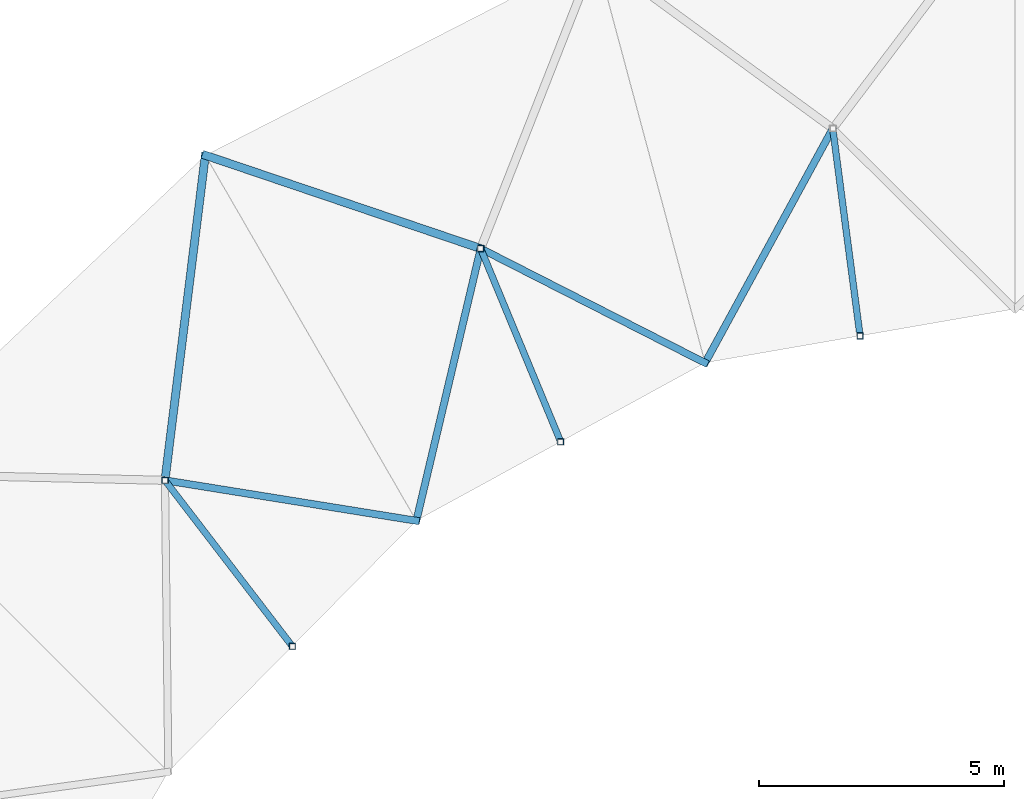
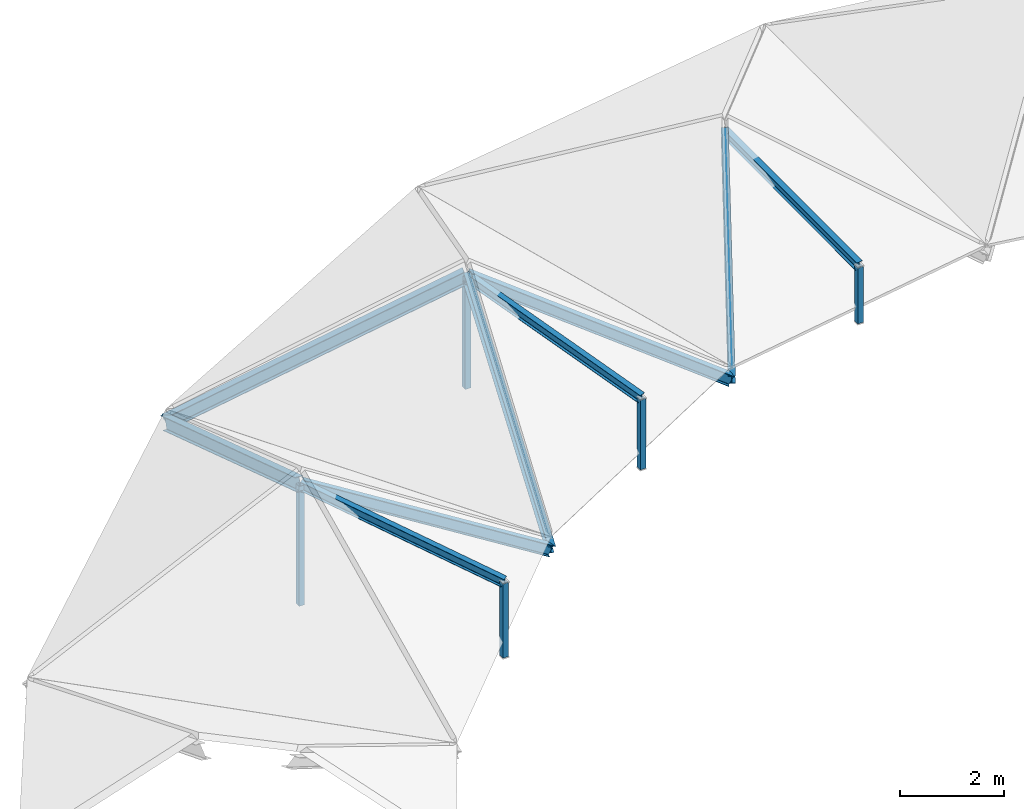
# One storey, part 30 of 66: 14 members.
"""IFC4 building model written with IfcOpenShell, lengths in metres."""

from ifc_helpers import new_model, si_unit, direction, frame, origin, origin_2d, place, context, subcontext, project, spatial, hollow_rectangle, i_section, extrude, material, material_profile, profile_set, type_object, element, save


model = new_model("IFC4")

# Units and contexts
model_context = context("Model", 3, precision=1e-05, world=origin(), true_north=direction((0.0, 1.0)))
body_context = subcontext(model_context, "Body", "Model", "MODEL_VIEW")
ifc_project = project(units=[si_unit("LENGTHUNIT", "METRE"), si_unit("AREAUNIT", "SQUARE_METRE"), si_unit("VOLUMEUNIT", "CUBIC_METRE"), si_unit("PLANEANGLEUNIT", "RADIAN"), si_unit("MASSUNIT", "GRAM", prefix="KILO")], contexts=[model_context])

# Site, building, storey
site_placement = place(None, origin())
site = spatial("IfcSite", under=ifc_project, at=site_placement, CompositionType="ELEMENT")
building_placement = place(site_placement, origin())
building = spatial("IfcBuilding", under=site, at=building_placement, Name="Karori Crest Natural Sciences Institute", CompositionType="ELEMENT")
storey_placement = place(building_placement, frame((0.0, 0.0, 30.10009765625)))
storey = spatial("IfcBuildingStorey", under=building, at=storey_placement, Name="L07", CompositionType="ELEMENT", Elevation=30.10009765625)

# Members
ifc_material_1 = material(Name="Structural steel AS/NZS 3679.1 Grade 350", Category="steel")
ifc_material_profile_1 = material_profile(ifc_material_1, i_section(OverallWidth=0.166015625, OverallDepth=0.306884765625, WebThickness=0.006591796875, FlangeThickness=0.01171875, FilletRadius=0.010986328125, at=origin_2d()), Name="310UB46.2")
ifc_profile_set_1 = profile_set([ifc_material_profile_1], Name="Structural steel AS/NZS 3679.1 Grade 350")
member_type_1 = type_object("IfcMemberType", Name="MT-06", PredefinedType="RAFTER", material=ifc_profile_set_1)
member_1_placement = place(storey_placement, frame((49.89990234375, 85.23388671875, -0.260009765625), z_axis=(0.864632187552, -0.292913292968, 0.408182536437), x_axis=(0.320860101112, 0.947126599518, 0.0)))
element("IfcMember", 1, at=member_1_placement, inside=storey, type_object=member_type_1, Name="Member M-0081", PredefinedType="RAFTER", context=body_context, shape_type="SweptSolid", body=[
    extrude(i_section(OverallWidth=0.166015625, OverallDepth=0.306884765625, WebThickness=0.006591796875, FlangeThickness=0.01171875, FilletRadius=0.010986328125, at=origin_2d()), origin(), (0.0, 0.0, 1.0), 6.489501953125),
])
member_2_placement = place(storey_placement, frame((49.89990234375, 85.23388671875, -0.260009765625), z_axis=(-0.113312878689, -0.91313285936, 0.391597462555), x_axis=(0.992388330701, -0.123147883001, 0.0)))
element("IfcMember", 2, at=member_2_placement, inside=storey, type_object=member_type_1, Name="Member M-0087", PredefinedType="RAFTER", context=body_context, shape_type="SweptSolid", body=[
    extrude(i_section(OverallWidth=0.166015625, OverallDepth=0.306884765625, WebThickness=0.006591796875, FlangeThickness=0.01171875, FilletRadius=0.010986328125, at=origin_2d()), origin(), (0.0, 0.0, 1.0), 7.25439453125),
])
ifc_material_profile_2 = material_profile(ifc_material_1, i_section(OverallWidth=0.14599609375, OverallDepth=0.256103515625, WebThickness=0.00634765625, FlangeThickness=0.010986328125, FilletRadius=0.009033203125, at=origin_2d()), Name="250UB37.3")
ifc_profile_set_2 = profile_set([ifc_material_profile_2], Name="Structural steel AS/NZS 3679.1 Grade 350")
member_type_2 = type_object("IfcMemberType", Name="MT-07", PredefinedType="RAFTER", material=ifc_profile_set_2)
member_3_placement = place(storey_placement, frame((60.084716796875, 81.002685546875, -0.260009765625), z_axis=(0.44756004659, 0.821611873422, 0.353049478329), x_axis=(-0.878161380656, 0.478364494422, 0.0)))
element("IfcMember", 3, at=member_3_placement, inside=storey, type_object=member_type_2, Name="Member M-0076", PredefinedType="RAFTER", context=body_context, shape_type="SweptSolid", body=[
    extrude(i_section(OverallWidth=0.14599609375, OverallDepth=0.256103515625, WebThickness=0.00634765625, FlangeThickness=0.010986328125, FilletRadius=0.009033203125, at=origin_2d()), origin(), (0.0, 0.0, 1.0), 5.812255859375),
])
member_4_placement = place(storey_placement, frame((60.084716796875, 81.002685546875, -0.260009765625), z_axis=(-0.791802854468, 0.403424695521, 0.458581241111), x_axis=(-0.453973516922, -0.891015177162, 0.0)))
element("IfcMember", 4, at=member_4_placement, inside=storey, type_object=member_type_2, Name="Member M-0082", PredefinedType="RAFTER", context=body_context, shape_type="SweptSolid", body=[
    extrude(i_section(OverallWidth=0.14599609375, OverallDepth=0.256103515625, WebThickness=0.00634765625, FlangeThickness=0.010986328125, FilletRadius=0.009033203125, at=origin_2d()), origin(), (0.0, 0.0, 1.0), 5.7763671875),
])
member_5_placement = place(storey_placement, frame((54.199951171875, 77.785888671875, -0.260009765625), z_axis=(0.208584471817, 0.882541486808, 0.42144162369), x_axis=(-0.973188622273, 0.230008490014, 0.0)))
element("IfcMember", 5, at=member_5_placement, inside=storey, type_object=member_type_2, Name="Member M-0083", PredefinedType="RAFTER", context=body_context, shape_type="SweptSolid", body=[
    extrude(i_section(OverallWidth=0.14599609375, OverallDepth=0.256103515625, WebThickness=0.00634765625, FlangeThickness=0.010986328125, FilletRadius=0.009033203125, at=origin_2d()), origin(), (0.0, 0.0, 1.0), 6.285400390625),
])
member_6_placement = place(storey_placement, frame((54.199951171875, 77.785888671875, -0.260009765625), z_axis=(-0.865980961861, 0.139266909691, 0.480293349486), x_axis=(-0.158779674608, -0.987314040684, 0.0)))
element("IfcMember", 6, at=member_6_placement, inside=storey, type_object=member_type_2, Name="Member M-0089", PredefinedType="RAFTER", context=body_context, shape_type="SweptSolid", body=[
    extrude(i_section(OverallWidth=0.14599609375, OverallDepth=0.256103515625, WebThickness=0.00634765625, FlangeThickness=0.010986328125, FilletRadius=0.009033203125, at=origin_2d()), origin(), (0.0, 0.0, 1.0), 5.914794921875),
])
ifc_material_profile_3 = material_profile(ifc_material_1, i_section(OverallWidth=0.133056640625, OverallDepth=0.202880859375, WebThickness=0.005859375, FlangeThickness=0.0078125, FilletRadius=0.009033203125, at=origin_2d()), Name="200UB25.4")
ifc_profile_set_3 = profile_set([ifc_material_profile_3], Name="Structural steel AS/NZS 3679.1 Grade 350")
member_type_3 = type_object("IfcMemberType", Name="MT-09", PredefinedType="PURLIN", material=ifc_profile_set_3)
member_7_placement = place(storey_placement, frame((63.242431640625, 81.551513671875, 0.990966796875), z_axis=(-0.128271950014, 0.974394031873, 0.184668831942), x_axis=(-0.991446106692, -0.130516732738, 0.0)))
element("IfcMember", 7, at=member_7_placement, inside=storey, type_object=member_type_3, Name="Member M-0077", PredefinedType="PURLIN", context=body_context, shape_type="SweptSolid", body=[
    extrude(i_section(OverallWidth=0.133056640625, OverallDepth=0.202880859375, WebThickness=0.005859375, FlangeThickness=0.0078125, FilletRadius=0.009033203125, at=origin_2d()), origin(), (0.0, 0.0, 1.0), 4.337646484375),
])
member_8_placement = place(storey_placement, frame((57.142333984375, 79.394287109375, 1.31689453125), z_axis=(-0.371105586259, 0.895996172271, 0.243867798453), x_axis=(-0.923889805527, -0.38265863017, 0.0)))
element("IfcMember", 8, at=member_8_placement, inside=storey, type_object=member_type_3, Name="Member M-0084", PredefinedType="PURLIN", context=body_context, shape_type="SweptSolid", body=[
    extrude(i_section(OverallWidth=0.133056640625, OverallDepth=0.202880859375, WebThickness=0.005859375, FlangeThickness=0.0078125, FilletRadius=0.009033203125, at=origin_2d()), origin(), (0.0, 0.0, 1.0), 4.39599609375),
])
member_9_placement = place(storey_placement, frame((51.67333984375, 75.227294921875, 1.421875), z_axis=(-0.587459714158, 0.765559860779, 0.262315046854), x_axis=(-0.793340841881, -0.608777716908, 0.0)))
element("IfcMember", 9, at=member_9_placement, inside=storey, type_object=member_type_3, Name="Member M-0091", PredefinedType="PURLIN", context=body_context, shape_type="SweptSolid", body=[
    extrude(i_section(OverallWidth=0.133056640625, OverallDepth=0.202880859375, WebThickness=0.005859375, FlangeThickness=0.0078125, FilletRadius=0.009033203125, at=origin_2d()), origin(), (0.0, 0.0, 1.0), 4.418212890625),
])
ifc_material_2 = material(Name="Hollow structural steel AS/NZS 1163 Grade C350", Category="steel")
ifc_material_profile_4 = material_profile(ifc_material_2, hollow_rectangle(XDim=0.125, YDim=0.125, WallThickness=0.006103515625, at=origin_2d()), Name="SHS125x125x6")
ifc_profile_set_4 = profile_set([ifc_material_profile_4], Name="Hollow structural steel AS/NZS 1163 Grade C350")
member_type_4 = type_object("IfcMemberType", Name="MT-20", PredefinedType="STRUT", material=ifc_profile_set_4)
member_10_placement = place(storey_placement, frame((63.242431640625, 81.551513671875, -0.322998046875), z_axis=(0.0, 0.0, 1.0), x_axis=(1.0, 0.0, 0.0)))
element("IfcMember", 10, at=member_10_placement, inside=storey, type_object=member_type_4, Name="Member M-0072", PredefinedType="STRUT", context=body_context, shape_type="SweptSolid", body=[
    extrude(hollow_rectangle(XDim=0.125, YDim=0.125, WallThickness=0.006103515625, at=origin_2d()), origin(), (0.0, 0.0, 1.0), 1.31396484375),
])
member_11_placement = place(storey_placement, frame((55.510986328125, 83.3330078125, -0.2451171875), z_axis=(0.0, 0.0, 1.0), x_axis=(1.0, 0.0, 0.0)))
element("IfcMember", 11, at=member_11_placement, inside=storey, type_object=member_type_4, Name="Member M-0078", PredefinedType="STRUT", context=body_context, shape_type="SweptSolid", body=[
    extrude(hollow_rectangle(XDim=0.125, YDim=0.125, WallThickness=0.006103515625, at=origin_2d()), origin(), (0.0, 0.0, 1.0), 2.634033203125),
])
member_12_placement = place(storey_placement, frame((57.142333984375, 79.394287109375, -0.322998046875), z_axis=(0.0, 0.0, 1.0), x_axis=(1.0, 0.0, 0.0)))
element("IfcMember", 12, at=member_12_placement, inside=storey, type_object=member_type_4, Name="Member M-0079", PredefinedType="STRUT", context=body_context, shape_type="SweptSolid", body=[
    extrude(hollow_rectangle(XDim=0.125, YDim=0.125, WallThickness=0.006103515625, at=origin_2d()), origin(), (0.0, 0.0, 1.0), 1.639892578125),
])
member_13_placement = place(storey_placement, frame((49.077880859375, 78.609619140625, -0.2451171875), z_axis=(0.0, 0.0, 1.0), x_axis=(1.0, 0.0, 0.0)))
element("IfcMember", 13, at=member_13_placement, inside=storey, type_object=member_type_4, Name="Member M-0085", PredefinedType="STRUT", context=body_context, shape_type="SweptSolid", body=[
    extrude(hollow_rectangle(XDim=0.125, YDim=0.125, WallThickness=0.006103515625, at=origin_2d()), origin(), (0.0, 0.0, 1.0), 2.825927734375),
])
member_14_placement = place(storey_placement, frame((51.67333984375, 75.227294921875, -0.322998046875), z_axis=(0.0, 0.0, 1.0), x_axis=(1.0, 0.0, 0.0)))
element("IfcMember", 14, at=member_14_placement, inside=storey, type_object=member_type_4, Name="Member M-0086", PredefinedType="STRUT", context=body_context, shape_type="SweptSolid", body=[
    extrude(hollow_rectangle(XDim=0.125, YDim=0.125, WallThickness=0.006103515625, at=origin_2d()), origin(), (0.0, 0.0, 1.0), 1.744873046875),
])

save(model, "model.ifc")
